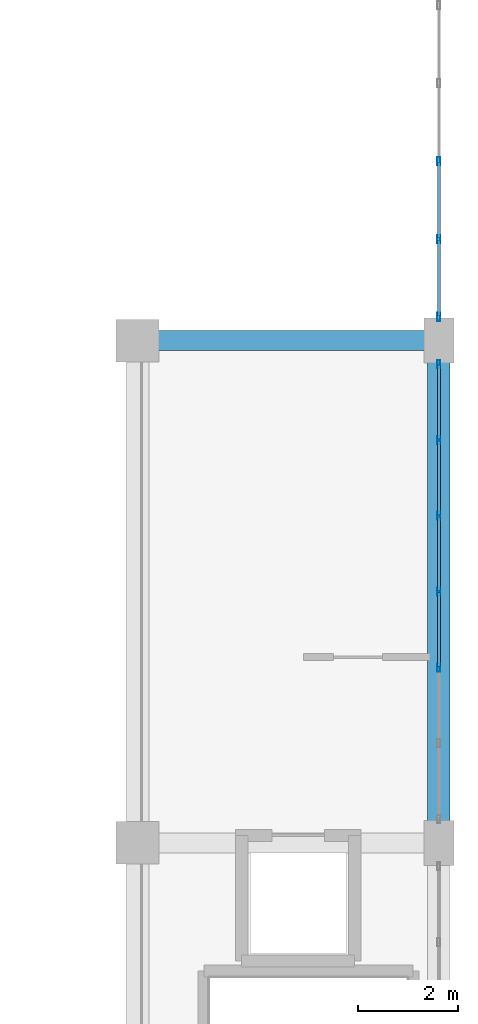
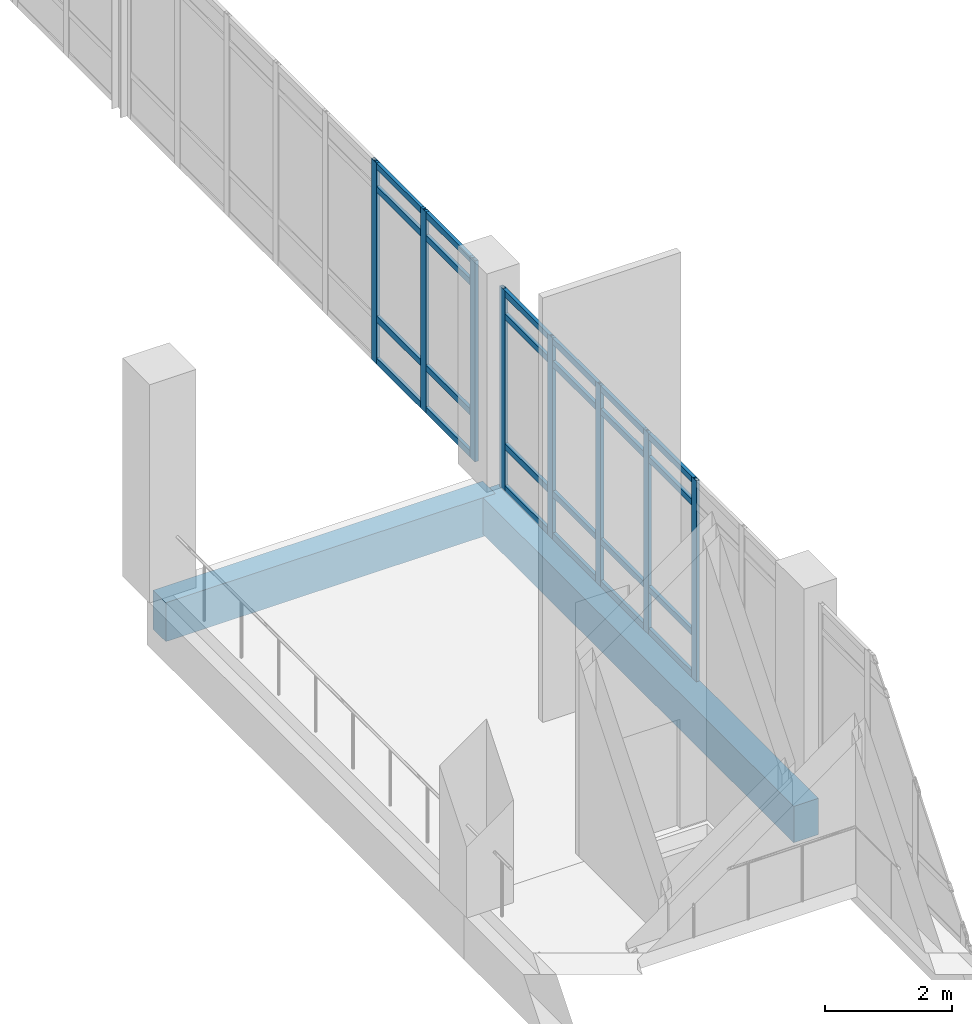
# One storey, part 112 of 161: 32 members, 2 beams, 2 elements without a shape of their own.
"""IFC4 building model written with IfcOpenShell, lengths in metres."""

import ifcopenshell
import ifcopenshell.guid

model = None  # the IFC model being written
_history = None  # IfcOwnerHistory: only IFC2X3 demands one
_inside = {}  # id of a spatial element -> (the spatial element, [elements in it])
_under = {}  # id of a project, library or spatial element -> (it, [spatial elements below it])
_declared = {}  # id of a project -> (the project, [libraries it declares])
_typed = {}  # id of a type object -> (the type object, [elements of that type])
_made_of = {}  # id of a material, layer set ... -> (it, [elements and type objects made of it])


def new_model(schema):
    """Start an empty IFC model of exactly this schema.

    Asked for "IFC4X3", IfcOpenShell would pick the latest addendum, in which some entities
    have other attributes; the version numbers below select the first issue.
    IFC2X3 requires an IfcOwnerHistory on every rooted entity: one is made here for all.
    """
    global model, _history
    if schema == "IFC4X3":
        model = ifcopenshell.file(schema_version=(4, 3, 0, 0))
    else:
        model = ifcopenshell.file(schema=schema)
    _inside.clear()
    _under.clear()
    _declared.clear()
    _typed.clear()
    _made_of.clear()
    _history = None
    if model.schema == "IFC2X3":
        org = make("IfcOrganization", Name="unknown")
        user = make(
            "IfcPersonAndOrganization",
            ThePerson=make("IfcPerson", FamilyName="unknown"),
            TheOrganization=org,
        )
        app = make(
            "IfcApplication",
            ApplicationDeveloper=org,
            Version="unknown",
            ApplicationFullName="unknown",
            ApplicationIdentifier="unknown",
        )
        _history = make(
            "IfcOwnerHistory",
            OwningUser=user,
            OwningApplication=app,
            ChangeAction="ADDED",
            CreationDate=0,
        )
    return model


def make(cls, **values):
    """One entity of the class cls with the attributes given. An attribute that is None is left unset."""
    return model.create_entity(
        cls, **{name: value for name, value in values.items() if value is not None}
    )


def rooted(cls, **values):
    """An entity with a GlobalId (a new one), such as an element, a storey or a relation."""
    return make(cls, GlobalId=ifcopenshell.guid.new(), OwnerHistory=_history, **values)


def si_unit(unit_type, name, prefix=None):
    """IfcSIUnit, for example si_unit("LENGTHUNIT", "METRE", prefix="MILLI")."""
    return make("IfcSIUnit", UnitType=unit_type, Prefix=prefix, Name=name)


def assignment(units):
    """IfcUnitAssignment: the units of a project."""
    return None if units is None else make("IfcUnitAssignment", Units=units)


def point(xyz):
    """IfcCartesianPoint."""
    return None if xyz is None else make("IfcCartesianPoint", Coordinates=xyz)


def direction(xyz):
    """IfcDirection."""
    return None if xyz is None else make("IfcDirection", DirectionRatios=xyz)


def frame(location, z_axis=None, x_axis=None):
    """IfcAxis2Placement3D, a coordinate frame: its origin and axes. An axis left out is left unset."""
    return make(
        "IfcAxis2Placement3D",
        Location=point(location),
        Axis=direction(z_axis),
        RefDirection=direction(x_axis),
    )


def frame_2d(location, x_axis=None):
    """IfcAxis2Placement2D, a coordinate frame in the plane: its origin and x axis."""
    return make(
        "IfcAxis2Placement2D", Location=point(location), RefDirection=direction(x_axis)
    )


def origin():
    """The frame at (0, 0, 0) with its axes left unset."""
    return frame((0.0, 0.0, 0.0))


def origin_2d():
    """The frame at (0, 0) in the plane with its x axis left unset."""
    return frame_2d((0.0, 0.0))


def place(relative_to, where):
    """IfcLocalPlacement: puts the frame where relative to a parent placement (None: the world)."""
    return make(
        "IfcLocalPlacement", PlacementRelTo=relative_to, RelativePlacement=where
    )


def context(
    kind, dimensions, precision=None, world=None, true_north=None, identifier=None
):
    """IfcGeometricRepresentationContext, for example the 3D "Model" context."""
    return make(
        "IfcGeometricRepresentationContext",
        ContextIdentifier=identifier,
        ContextType=kind,
        CoordinateSpaceDimension=dimensions,
        Precision=precision,
        WorldCoordinateSystem=world,
        TrueNorth=true_north,
    )


def subcontext(parent, identifier, kind, view, scale=None):
    """IfcGeometricRepresentationSubContext, for example "Body" below "Model"."""
    return make(
        "IfcGeometricRepresentationSubContext",
        ContextIdentifier=identifier,
        ContextType=kind,
        ParentContext=parent,
        TargetScale=scale,
        TargetView=view,
    )


def project(units=None, contexts=None):
    """IfcProject with its units and contexts."""
    return rooted(
        "IfcProject",
        Name="project",
        RepresentationContexts=contexts,
        UnitsInContext=assignment(units),
    )


def spatial(cls, under=None, at=None, **own):
    """A site, building, storey or space (cls), placed at a placement, below another one or the project."""
    s = rooted(cls, ObjectPlacement=at, **own)
    if under is not None:
        _under.setdefault(under.id(), (under, []))[1].append(s)
    return s


def profile(cls, at=None, kind="AREA", **sizes):
    """A parametric profile (cls). Its sizes go by their IFC names, for example OverallWidth=200.0."""
    return make(cls, ProfileType=kind, Position=at, **sizes)


def rectangle(**sizes):
    """IfcRectangleProfileDef."""
    return profile("IfcRectangleProfileDef", **sizes)


def hollow_rectangle(**sizes):
    """IfcRectangleHollowProfileDef."""
    return profile("IfcRectangleHollowProfileDef", **sizes)


def extrude(swept, where, along, depth):
    """IfcExtrudedAreaSolid: the profile swept, set in the frame where, extruded along a direction by depth."""
    return make(
        "IfcExtrudedAreaSolid",
        SweptArea=swept,
        Position=where,
        ExtrudedDirection=direction(along),
        Depth=depth,
    )


def shape(context_of_items, identifier, shape_type, items):
    """IfcShapeRepresentation: the items that make up one representation, for example the "Body"."""
    return make(
        "IfcShapeRepresentation",
        ContextOfItems=context_of_items,
        RepresentationIdentifier=identifier,
        RepresentationType=shape_type,
        Items=items,
    )


def material(Name=None, Category=None):
    """IfcMaterial."""
    return make("IfcMaterial", Name=Name, Category=Category)


def layer(
    of_material, thickness, ventilated=None, Name=None, Category=None, Priority=None
):
    """IfcMaterialLayer: one layer of a wall or slab, of a material (None: an air gap)."""
    return make(
        "IfcMaterialLayer",
        Material=of_material,
        LayerThickness=thickness,
        IsVentilated=ventilated,
        Name=Name,
        Category=Category,
        Priority=Priority,
    )


def layer_set(layers, Name=None):
    """IfcMaterialLayerSet."""
    return make("IfcMaterialLayerSet", MaterialLayers=layers, LayerSetName=Name)


def material_profile(
    of_material, cross_section, Name=None, Category=None, Priority=None
):
    """IfcMaterialProfile: a cross section and its material."""
    return make(
        "IfcMaterialProfile",
        Name=Name,
        Material=of_material,
        Profile=cross_section,
        Priority=Priority,
        Category=Category,
    )


def profile_set(profiles, Name=None, composite=None):
    """IfcMaterialProfileSet."""
    return make(
        "IfcMaterialProfileSet",
        Name=Name,
        MaterialProfiles=profiles,
        CompositeProfile=composite,
    )


def made_of(thing, what):
    """Note that an element or type object is made of a material, layer set ...; save() writes the relation."""
    if what is not None:
        _made_of.setdefault(what.id(), (what, []))[1].append(thing)
    return thing


def type_object(cls, material=None, **own):
    """A type object (cls), such as IfcWallType, which elements share."""
    return made_of(rooted(cls, **own), material)


def element(
    cls,
    number,
    at=None,
    inside=None,
    cuts=None,
    type_object=None,
    material=None,
    context=None,
    identifier="Body",
    shape_type=None,
    held_by="IfcProductDefinitionShape",
    body=None,
    shapes=None,
    **own,
):
    """One element of the class cls, such as IfcWall. Its Tag is "e" and its number.

    at: its placement. inside: the storey or other place that contains it. cuts: it is an
    opening in that element (IfcRelVoidsElement). A single representation is given by context,
    identifier, shape_type and body (its items); several are given by shapes. held_by: the class
    of the entity that holds the representations. save() writes the other relations.
    """
    e = rooted(cls, Tag="e%d" % number, ObjectPlacement=at, **own)
    if body is not None:
        shapes = [shape(context, identifier, shape_type, body)]
    if shapes is not None:
        e.Representation = make(held_by, Representations=shapes)
    if inside is not None:
        _inside.setdefault(inside.id(), (inside, []))[1].append(e)
    if cuts is not None:
        rooted(
            "IfcRelVoidsElement", RelatingBuildingElement=cuts, RelatedOpeningElement=e
        )
    if type_object is not None:
        _typed.setdefault(type_object.id(), (type_object, []))[1].append(e)
    return made_of(e, material)


def aggregate(whole, parts):
    """IfcRelAggregates: a whole, such as a stair, and the parts it consists of."""
    return rooted("IfcRelAggregates", RelatingObject=whole, RelatedObjects=parts)


def save(model, path):
    """Write the relations noted so far, then the file.

    IfcRelAggregates (storeys below a building ...), IfcRelContainedInSpatialStructure (elements
    in a storey), IfcRelDefinesByType, IfcRelAssociatesMaterial and IfcRelDeclares: one each for
    every whole, place, type object, material and project.
    """
    for whole, parts in _under.values():
        aggregate(whole, parts)
    for where, things in _inside.values():
        rooted(
            "IfcRelContainedInSpatialStructure",
            RelatedElements=things,
            RelatingStructure=where,
        )
    for kind, things in _typed.values():
        rooted("IfcRelDefinesByType", RelatedObjects=things, RelatingType=kind)
    for what, things in _made_of.values():
        rooted("IfcRelAssociatesMaterial", RelatedObjects=things, RelatingMaterial=what)
    for by, libraries in _declared.values():
        rooted("IfcRelDeclares", RelatingContext=by, RelatedDefinitions=libraries)
    model.write(path)


model = new_model("IFC4")

# Units and contexts
model_context = context("Model", 3, precision=1e-05, world=origin(), true_north=direction((0.0, 1.0)))
body_context = subcontext(model_context, "Body", "Model", "MODEL_VIEW")
ifc_project = project(units=[si_unit("LENGTHUNIT", "METRE"), si_unit("AREAUNIT", "SQUARE_METRE"), si_unit("VOLUMEUNIT", "CUBIC_METRE"), si_unit("PLANEANGLEUNIT", "RADIAN"), si_unit("MASSUNIT", "GRAM", prefix="KILO")], contexts=[model_context])

# Site, building, storey
site_placement = place(None, origin())
site = spatial("IfcSite", under=ifc_project, at=site_placement, CompositionType="ELEMENT")
building_placement = place(site_placement, origin())
building = spatial("IfcBuilding", under=site, at=building_placement, Name="Mersad Railyard Sports Hall", CompositionType="ELEMENT")
storey_placement = place(building_placement, frame((0.0, 0.0, 4.800048828125)))
storey = spatial("IfcBuildingStorey", under=building, at=storey_placement, Name="L01", CompositionType="ELEMENT", Elevation=4.800048828125)

# Curtain wall, members
ifc_material_1 = material(Name="Aluminium 6063-T6", Category="aluminium")
ifc_layer_1 = layer(ifc_material_1, 0.159912109375)
ifc_layer_set_1 = layer_set([ifc_layer_1], Name="Aluminium 6063-T6")
curtain_wall_type_1 = type_object("IfcCurtainWallType", Name="ARC-CW-CW14", PredefinedType="USERDEFINED", material=ifc_layer_set_1)
curtain_wall_1_placement = place(storey_placement, origin())
curtain_wall_1 = element("IfcCurtainWall", 1, at=curtain_wall_1_placement, inside=storey, type_object=curtain_wall_type_1, Name="Curtain wall CW14-0056", ObjectType="CURTAIN WALL", PredefinedType="USERDEFINED")
ifc_material_profile_1 = material_profile(ifc_material_1, hollow_rectangle(XDim=0.06005859375, YDim=0.159912109375, WallThickness=0.00390625, at=origin_2d()), Name="AL MULLION 60x160x4")
ifc_profile_set_1 = profile_set([ifc_material_profile_1], Name="Aluminium 6063-T6")
member_type_1 = type_object("IfcMemberType", Name="ARC-CW-MUL01", PredefinedType="MULLION", material=ifc_profile_set_1)
member_1_placement = place(storey_placement, frame((179.0, 73.030029296875, -0.02001953125), z_axis=(0.0, 0.0, 1.0), x_axis=(1.0, 0.0, 0.0)))
member_1 = element("IfcMember", 2, at=member_1_placement, type_object=member_type_1, Name="CW14 Mullion 1", PredefinedType="MULLION", context=body_context, shape_type="SweptSolid", body=[
    extrude(hollow_rectangle(XDim=0.06005859375, YDim=0.159912109375, WallThickness=0.00390625, at=origin_2d()), origin(), (0.0, 0.0, 1.0), 3.869873046875),
])
member_2_placement = place(storey_placement, frame((179.0, 71.52001953125, -0.02001953125), z_axis=(0.0, 0.0, 1.0), x_axis=(1.0, 0.0, 0.0)))
member_2 = element("IfcMember", 3, at=member_2_placement, type_object=member_type_1, Name="CW14 Mullion 2", PredefinedType="MULLION", context=body_context, shape_type="SweptSolid", body=[
    extrude(hollow_rectangle(XDim=0.06005859375, YDim=0.159912109375, WallThickness=0.00390625, at=origin_2d()), origin(), (0.0, 0.0, 1.0), 3.869873046875),
])
member_3_placement = place(storey_placement, frame((179.0, 70.010009765625, -0.02001953125), z_axis=(0.0, 0.0, 1.0), x_axis=(1.0, 0.0, 0.0)))
member_3 = element("IfcMember", 4, at=member_3_placement, type_object=member_type_1, Name="CW14 Mullion 3", PredefinedType="MULLION", context=body_context, shape_type="SweptSolid", body=[
    extrude(hollow_rectangle(XDim=0.06005859375, YDim=0.159912109375, WallThickness=0.00390625, at=origin_2d()), origin(), (0.0, 0.0, 1.0), 3.869873046875),
])
member_4_placement = place(storey_placement, frame((179.0, 68.5, -0.02001953125), z_axis=(0.0, 0.0, 1.0), x_axis=(1.0, 0.0, 0.0)))
member_4 = element("IfcMember", 5, at=member_4_placement, type_object=member_type_1, Name="CW14 Mullion 4", PredefinedType="MULLION", context=body_context, shape_type="SweptSolid", body=[
    extrude(hollow_rectangle(XDim=0.06005859375, YDim=0.159912109375, WallThickness=0.00390625, at=origin_2d()), origin(), (0.0, 0.0, 1.0), 3.869873046875),
])
member_5_placement = place(storey_placement, frame((179.0, 66.989990234375, -0.02001953125), z_axis=(0.0, 0.0, 1.0), x_axis=(1.0, 0.0, 0.0)))
member_5 = element("IfcMember", 6, at=member_5_placement, type_object=member_type_1, Name="CW14 Mullion 5", PredefinedType="MULLION", context=body_context, shape_type="SweptSolid", body=[
    extrude(hollow_rectangle(XDim=0.06005859375, YDim=0.159912109375, WallThickness=0.00390625, at=origin_2d()), origin(), (0.0, 0.0, 1.0), 3.869873046875),
])

ifc_layer_2 = layer(ifc_material_1, 0.159912109375)
ifc_layer_set_2 = layer_set([ifc_layer_2], Name="Aluminium 6063-T6")
curtain_wall_type_2 = type_object("IfcCurtainWallType", Name="ARC-CW-CW19", PredefinedType="USERDEFINED", material=ifc_layer_set_2)
curtain_wall_2_placement = place(storey_placement, origin())
curtain_wall_2 = element("IfcCurtainWall", 7, at=curtain_wall_2_placement, inside=storey, type_object=curtain_wall_type_2, Name="Curtain wall CW19-0058", ObjectType="CURTAIN WALL", PredefinedType="USERDEFINED")
member_6_placement = place(storey_placement, frame((179.0, 77.07275390625, -0.02001953125), z_axis=(0.0, 0.0, 1.0), x_axis=(1.0, 0.0, 0.0)))
member_6 = element("IfcMember", 8, at=member_6_placement, type_object=member_type_1, Name="CW19 Mullion 6", PredefinedType="MULLION", context=body_context, shape_type="SweptSolid", body=[
    extrude(hollow_rectangle(XDim=0.06005859375, YDim=0.159912109375, WallThickness=0.00390625, at=origin_2d()), origin(), (0.0, 0.0, 1.0), 3.869873046875),
])
member_7_placement = place(storey_placement, frame((179.0, 75.521484375, -0.02001953125), z_axis=(0.0, 0.0, 1.0), x_axis=(1.0, 0.0, 0.0)))
member_7 = element("IfcMember", 9, at=member_7_placement, type_object=member_type_1, Name="CW19 Mullion 7", PredefinedType="MULLION", context=body_context, shape_type="SweptSolid", body=[
    extrude(hollow_rectangle(XDim=0.06005859375, YDim=0.159912109375, WallThickness=0.00390625, at=origin_2d()), origin(), (0.0, 0.0, 1.0), 3.869873046875),
])
member_8_placement = place(storey_placement, frame((179.0, 73.969970703125, -0.02001953125), z_axis=(0.0, 0.0, 1.0), x_axis=(1.0, 0.0, 0.0)))
member_8 = element("IfcMember", 10, at=member_8_placement, type_object=member_type_1, Name="CW19 Mullion 8", PredefinedType="MULLION", context=body_context, shape_type="SweptSolid", body=[
    extrude(hollow_rectangle(XDim=0.06005859375, YDim=0.159912109375, WallThickness=0.00390625, at=origin_2d()), origin(), (0.0, 0.0, 1.0), 3.869873046875),
])

# Member
ifc_material_profile_2 = material_profile(ifc_material_1, hollow_rectangle(XDim=0.06005859375, YDim=0.1201171875, WallThickness=0.00390625, at=origin_2d()), Name="AL TRANSOM 60x120x4")
ifc_profile_set_2 = profile_set([ifc_material_profile_2], Name="Aluminium 6063-T6")
member_type_2 = type_object("IfcMemberType", Name="ARC-CW-TRN01", PredefinedType="USERDEFINED", material=ifc_profile_set_2)
member_9_placement = place(storey_placement, frame((179.0, 73.010009765625, 0.0400390625), z_axis=(0.0, -1.0, 0.0), x_axis=(1.0, 0.0, 0.0)))
member_9 = element("IfcMember", 11, at=member_9_placement, type_object=member_type_2, Name="CW14 Transom 1-1", ObjectType="TRANSOM", PredefinedType="USERDEFINED", context=body_context, shape_type="SweptSolid", body=[
    extrude(hollow_rectangle(XDim=0.06005859375, YDim=0.1201171875, WallThickness=0.00390625, at=origin_2d()), origin(), (0.0, 0.0, 1.0), 1.469970703125),
])

member_10_placement = place(storey_placement, frame((179.0, 71.5, 0.0400390625), z_axis=(0.0, -1.0, 0.0), x_axis=(1.0, 0.0, 0.0)))
member_10 = element("IfcMember", 12, at=member_10_placement, type_object=member_type_2, Name="CW14 Transom 1-2", ObjectType="TRANSOM", PredefinedType="USERDEFINED", context=body_context, shape_type="SweptSolid", body=[
    extrude(hollow_rectangle(XDim=0.06005859375, YDim=0.1201171875, WallThickness=0.00390625, at=origin_2d()), origin(), (0.0, 0.0, 1.0), 1.469970703125),
])

member_11_placement = place(storey_placement, frame((179.0, 69.989990234375, 0.0400390625), z_axis=(0.0, -1.0, 0.0), x_axis=(1.0, 0.0, 0.0)))
member_11 = element("IfcMember", 13, at=member_11_placement, type_object=member_type_2, Name="CW14 Transom 1-3", ObjectType="TRANSOM", PredefinedType="USERDEFINED", context=body_context, shape_type="SweptSolid", body=[
    extrude(hollow_rectangle(XDim=0.06005859375, YDim=0.1201171875, WallThickness=0.00390625, at=origin_2d()), origin(), (0.0, 0.0, 1.0), 1.469970703125),
])

member_12_placement = place(storey_placement, frame((179.0, 68.47998046875, 0.0400390625), z_axis=(0.0, -1.0, 0.0), x_axis=(1.0, 0.0, 0.0)))
member_12 = element("IfcMember", 14, at=member_12_placement, type_object=member_type_2, Name="CW14 Transom 1-4", ObjectType="TRANSOM", PredefinedType="USERDEFINED", context=body_context, shape_type="SweptSolid", body=[
    extrude(hollow_rectangle(XDim=0.06005859375, YDim=0.1201171875, WallThickness=0.00390625, at=origin_2d()), origin(), (0.0, 0.0, 1.0), 1.469970703125),
])

member_13_placement = place(storey_placement, frame((179.0, 73.010009765625, 0.849853515625), z_axis=(0.0, -1.0, 0.0), x_axis=(1.0, 0.0, 0.0)))
member_13 = element("IfcMember", 15, at=member_13_placement, type_object=member_type_2, Name="CW14 Transom 2-1", ObjectType="TRANSOM", PredefinedType="USERDEFINED", context=body_context, shape_type="SweptSolid", body=[
    extrude(hollow_rectangle(XDim=0.06005859375, YDim=0.1201171875, WallThickness=0.00390625, at=origin_2d()), origin(), (0.0, 0.0, 1.0), 1.469970703125),
])

member_14_placement = place(storey_placement, frame((179.0, 71.5, 0.849853515625), z_axis=(0.0, -1.0, 0.0), x_axis=(1.0, 0.0, 0.0)))
member_14 = element("IfcMember", 16, at=member_14_placement, type_object=member_type_2, Name="CW14 Transom 2-2", ObjectType="TRANSOM", PredefinedType="USERDEFINED", context=body_context, shape_type="SweptSolid", body=[
    extrude(hollow_rectangle(XDim=0.06005859375, YDim=0.1201171875, WallThickness=0.00390625, at=origin_2d()), origin(), (0.0, 0.0, 1.0), 1.469970703125),
])

member_15_placement = place(storey_placement, frame((179.0, 69.989990234375, 0.849853515625), z_axis=(0.0, -1.0, 0.0), x_axis=(1.0, 0.0, 0.0)))
member_15 = element("IfcMember", 17, at=member_15_placement, type_object=member_type_2, Name="CW14 Transom 2-3", ObjectType="TRANSOM", PredefinedType="USERDEFINED", context=body_context, shape_type="SweptSolid", body=[
    extrude(hollow_rectangle(XDim=0.06005859375, YDim=0.1201171875, WallThickness=0.00390625, at=origin_2d()), origin(), (0.0, 0.0, 1.0), 1.469970703125),
])

member_16_placement = place(storey_placement, frame((179.0, 68.47998046875, 0.849853515625), z_axis=(0.0, -1.0, 0.0), x_axis=(1.0, 0.0, 0.0)))
member_16 = element("IfcMember", 18, at=member_16_placement, type_object=member_type_2, Name="CW14 Transom 2-4", ObjectType="TRANSOM", PredefinedType="USERDEFINED", context=body_context, shape_type="SweptSolid", body=[
    extrude(hollow_rectangle(XDim=0.06005859375, YDim=0.1201171875, WallThickness=0.00390625, at=origin_2d()), origin(), (0.0, 0.0, 1.0), 1.469970703125),
])

member_17_placement = place(storey_placement, frame((179.0, 73.010009765625, 3.349853515625), z_axis=(0.0, -1.0, 0.0), x_axis=(1.0, 0.0, 0.0)))
member_17 = element("IfcMember", 19, at=member_17_placement, type_object=member_type_2, Name="CW14 Transom 3-1", ObjectType="TRANSOM", PredefinedType="USERDEFINED", context=body_context, shape_type="SweptSolid", body=[
    extrude(hollow_rectangle(XDim=0.06005859375, YDim=0.1201171875, WallThickness=0.00390625, at=origin_2d()), origin(), (0.0, 0.0, 1.0), 1.469970703125),
])

member_18_placement = place(storey_placement, frame((179.0, 71.5, 3.349853515625), z_axis=(0.0, -1.0, 0.0), x_axis=(1.0, 0.0, 0.0)))
member_18 = element("IfcMember", 20, at=member_18_placement, type_object=member_type_2, Name="CW14 Transom 3-2", ObjectType="TRANSOM", PredefinedType="USERDEFINED", context=body_context, shape_type="SweptSolid", body=[
    extrude(hollow_rectangle(XDim=0.06005859375, YDim=0.1201171875, WallThickness=0.00390625, at=origin_2d()), origin(), (0.0, 0.0, 1.0), 1.469970703125),
])

member_19_placement = place(storey_placement, frame((179.0, 69.989990234375, 3.349853515625), z_axis=(0.0, -1.0, 0.0), x_axis=(1.0, 0.0, 0.0)))
member_19 = element("IfcMember", 21, at=member_19_placement, type_object=member_type_2, Name="CW14 Transom 3-3", ObjectType="TRANSOM", PredefinedType="USERDEFINED", context=body_context, shape_type="SweptSolid", body=[
    extrude(hollow_rectangle(XDim=0.06005859375, YDim=0.1201171875, WallThickness=0.00390625, at=origin_2d()), origin(), (0.0, 0.0, 1.0), 1.469970703125),
])

member_20_placement = place(storey_placement, frame((179.0, 68.47998046875, 3.349853515625), z_axis=(0.0, -1.0, 0.0), x_axis=(1.0, 0.0, 0.0)))
member_20 = element("IfcMember", 22, at=member_20_placement, type_object=member_type_2, Name="CW14 Transom 3-4", ObjectType="TRANSOM", PredefinedType="USERDEFINED", context=body_context, shape_type="SweptSolid", body=[
    extrude(hollow_rectangle(XDim=0.06005859375, YDim=0.1201171875, WallThickness=0.00390625, at=origin_2d()), origin(), (0.0, 0.0, 1.0), 1.469970703125),
])

member_21_placement = place(storey_placement, frame((179.0, 73.010009765625, 3.7900390625), z_axis=(0.0, -1.0, 0.0), x_axis=(1.0, 0.0, 0.0)))
member_21 = element("IfcMember", 23, at=member_21_placement, type_object=member_type_2, Name="CW14 Transom 4-1", ObjectType="TRANSOM", PredefinedType="USERDEFINED", context=body_context, shape_type="SweptSolid", body=[
    extrude(hollow_rectangle(XDim=0.06005859375, YDim=0.1201171875, WallThickness=0.00390625, at=origin_2d()), origin(), (0.0, 0.0, 1.0), 1.469970703125),
])

member_22_placement = place(storey_placement, frame((179.0, 71.5, 3.7900390625), z_axis=(0.0, -1.0, 0.0), x_axis=(1.0, 0.0, 0.0)))
member_22 = element("IfcMember", 24, at=member_22_placement, type_object=member_type_2, Name="CW14 Transom 4-2", ObjectType="TRANSOM", PredefinedType="USERDEFINED", context=body_context, shape_type="SweptSolid", body=[
    extrude(hollow_rectangle(XDim=0.06005859375, YDim=0.1201171875, WallThickness=0.00390625, at=origin_2d()), origin(), (0.0, 0.0, 1.0), 1.469970703125),
])

member_23_placement = place(storey_placement, frame((179.0, 69.989990234375, 3.7900390625), z_axis=(0.0, -1.0, 0.0), x_axis=(1.0, 0.0, 0.0)))
member_23 = element("IfcMember", 25, at=member_23_placement, type_object=member_type_2, Name="CW14 Transom 4-3", ObjectType="TRANSOM", PredefinedType="USERDEFINED", context=body_context, shape_type="SweptSolid", body=[
    extrude(hollow_rectangle(XDim=0.06005859375, YDim=0.1201171875, WallThickness=0.00390625, at=origin_2d()), origin(), (0.0, 0.0, 1.0), 1.469970703125),
])

member_24_placement = place(storey_placement, frame((179.0, 68.47998046875, 3.7900390625), z_axis=(0.0, -1.0, 0.0), x_axis=(1.0, 0.0, 0.0)))
member_24 = element("IfcMember", 26, at=member_24_placement, type_object=member_type_2, Name="CW14 Transom 4-4", ObjectType="TRANSOM", PredefinedType="USERDEFINED", context=body_context, shape_type="SweptSolid", body=[
    extrude(hollow_rectangle(XDim=0.06005859375, YDim=0.1201171875, WallThickness=0.00390625, at=origin_2d()), origin(), (0.0, 0.0, 1.0), 1.469970703125),
])

aggregate(curtain_wall_1, [member_1, member_2, member_3, member_4, member_5, member_9, member_10, member_11, member_12, member_13, member_14, member_15, member_16, member_17, member_18, member_19, member_20, member_21, member_22, member_23, member_24])

member_25_placement = place(storey_placement, frame((179.0, 77.052978515625, 0.0400390625), z_axis=(0.0, -1.0, 0.0), x_axis=(1.0, 0.0, 0.0)))
member_25 = element("IfcMember", 27, at=member_25_placement, type_object=member_type_2, Name="CW19 Transom 1-6", ObjectType="TRANSOM", PredefinedType="USERDEFINED", context=body_context, shape_type="SweptSolid", body=[
    extrude(hollow_rectangle(XDim=0.06005859375, YDim=0.1201171875, WallThickness=0.00390625, at=origin_2d()), origin(), (0.0, 0.0, 1.0), 1.511474609375),
])

member_26_placement = place(storey_placement, frame((179.0, 75.50146484375, 0.0400390625), z_axis=(0.0, -1.0, 0.0), x_axis=(1.0, 0.0, 0.0)))
member_26 = element("IfcMember", 28, at=member_26_placement, type_object=member_type_2, Name="CW19 Transom 1-7", ObjectType="TRANSOM", PredefinedType="USERDEFINED", context=body_context, shape_type="SweptSolid", body=[
    extrude(hollow_rectangle(XDim=0.06005859375, YDim=0.1201171875, WallThickness=0.00390625, at=origin_2d()), origin(), (0.0, 0.0, 1.0), 1.511474609375),
])

member_27_placement = place(storey_placement, frame((179.0, 77.052978515625, 0.849853515625), z_axis=(0.0, -1.0, 0.0), x_axis=(1.0, 0.0, 0.0)))
member_27 = element("IfcMember", 29, at=member_27_placement, type_object=member_type_2, Name="CW19 Transom 2-6", ObjectType="TRANSOM", PredefinedType="USERDEFINED", context=body_context, shape_type="SweptSolid", body=[
    extrude(hollow_rectangle(XDim=0.06005859375, YDim=0.1201171875, WallThickness=0.00390625, at=origin_2d()), origin(), (0.0, 0.0, 1.0), 1.511474609375),
])

member_28_placement = place(storey_placement, frame((179.0, 75.50146484375, 0.849853515625), z_axis=(0.0, -1.0, 0.0), x_axis=(1.0, 0.0, 0.0)))
member_28 = element("IfcMember", 30, at=member_28_placement, type_object=member_type_2, Name="CW19 Transom 2-7", ObjectType="TRANSOM", PredefinedType="USERDEFINED", context=body_context, shape_type="SweptSolid", body=[
    extrude(hollow_rectangle(XDim=0.06005859375, YDim=0.1201171875, WallThickness=0.00390625, at=origin_2d()), origin(), (0.0, 0.0, 1.0), 1.511474609375),
])

member_29_placement = place(storey_placement, frame((179.0, 77.052978515625, 3.349853515625), z_axis=(0.0, -1.0, 0.0), x_axis=(1.0, 0.0, 0.0)))
member_29 = element("IfcMember", 31, at=member_29_placement, type_object=member_type_2, Name="CW19 Transom 3-6", ObjectType="TRANSOM", PredefinedType="USERDEFINED", context=body_context, shape_type="SweptSolid", body=[
    extrude(hollow_rectangle(XDim=0.06005859375, YDim=0.1201171875, WallThickness=0.00390625, at=origin_2d()), origin(), (0.0, 0.0, 1.0), 1.511474609375),
])

member_30_placement = place(storey_placement, frame((179.0, 75.50146484375, 3.349853515625), z_axis=(0.0, -1.0, 0.0), x_axis=(1.0, 0.0, 0.0)))
member_30 = element("IfcMember", 32, at=member_30_placement, type_object=member_type_2, Name="CW19 Transom 3-7", ObjectType="TRANSOM", PredefinedType="USERDEFINED", context=body_context, shape_type="SweptSolid", body=[
    extrude(hollow_rectangle(XDim=0.06005859375, YDim=0.1201171875, WallThickness=0.00390625, at=origin_2d()), origin(), (0.0, 0.0, 1.0), 1.511474609375),
])

member_31_placement = place(storey_placement, frame((179.0, 77.052978515625, 3.7900390625), z_axis=(0.0, -1.0, 0.0), x_axis=(1.0, 0.0, 0.0)))
member_31 = element("IfcMember", 33, at=member_31_placement, type_object=member_type_2, Name="CW19 Transom 4-6", ObjectType="TRANSOM", PredefinedType="USERDEFINED", context=body_context, shape_type="SweptSolid", body=[
    extrude(hollow_rectangle(XDim=0.06005859375, YDim=0.1201171875, WallThickness=0.00390625, at=origin_2d()), origin(), (0.0, 0.0, 1.0), 1.511474609375),
])

member_32_placement = place(storey_placement, frame((179.0, 75.50146484375, 3.7900390625), z_axis=(0.0, -1.0, 0.0), x_axis=(1.0, 0.0, 0.0)))
member_32 = element("IfcMember", 34, at=member_32_placement, type_object=member_type_2, Name="CW19 Transom 4-7", ObjectType="TRANSOM", PredefinedType="USERDEFINED", context=body_context, shape_type="SweptSolid", body=[
    extrude(hollow_rectangle(XDim=0.06005859375, YDim=0.1201171875, WallThickness=0.00390625, at=origin_2d()), origin(), (0.0, 0.0, 1.0), 1.511474609375),
])

aggregate(curtain_wall_2, [member_6, member_7, member_8, member_25, member_26, member_27, member_28, member_29, member_30, member_31, member_32])

# Beams
ifc_material_2 = material(Name="Concrete C40/50", Category="concrete")
ifc_material_profile_3 = material_profile(ifc_material_2, rectangle(XDim=0.39990234375, YDim=0.75, at=origin_2d()), Name="RC 400x750")
ifc_profile_set_3 = profile_set([ifc_material_profile_3], Name="Concrete C40/50")
beam_type_1 = type_object("IfcBeamType", Name="STR-BM-B01", PredefinedType="BEAM", material=ifc_profile_set_3)
beam_1_placement = place(storey_placement, frame((173.0, 73.5, -0.655029296875), z_axis=(1.0, 0.0, 0.0), x_axis=(0.0, 1.0, 0.0)))
element("IfcBeam", 35, at=beam_1_placement, inside=storey, type_object=beam_type_1, Name="Beam B01-0646", PredefinedType="BEAM", context=body_context, shape_type="SweptSolid", body=[
    extrude(rectangle(XDim=0.39990234375, YDim=0.75, at=origin_2d()), origin(), (0.0, 0.0, 1.0), 6.0),
])
ifc_material_3 = material(Name="Architectural concrete C40/50", Category="concrete")
ifc_material_profile_4 = material_profile(ifc_material_3, rectangle(XDim=0.449951171875, YDim=0.699951171875, at=origin_2d()), Name="RC 450x700")
ifc_profile_set_4 = profile_set([ifc_material_profile_4], Name="Architectural concrete C40/50")
beam_type_2 = type_object("IfcBeamType", Name="STR-BM-SP01", PredefinedType="SPANDREL", material=ifc_profile_set_4)
beam_2_placement = place(storey_placement, frame((179.0, 63.5, -0.630126953125), z_axis=(0.0, 1.0, 0.0), x_axis=(-1.0, 0.0, 0.0)))
element("IfcBeam", 36, at=beam_2_placement, inside=storey, type_object=beam_type_2, Name="Beam SP01-0660", PredefinedType="SPANDREL", context=body_context, shape_type="SweptSolid", body=[
    extrude(rectangle(XDim=0.449951171875, YDim=0.699951171875, at=origin_2d()), origin(), (0.0, 0.0, 1.0), 10.0),
])

save(model, "model.ifc")
